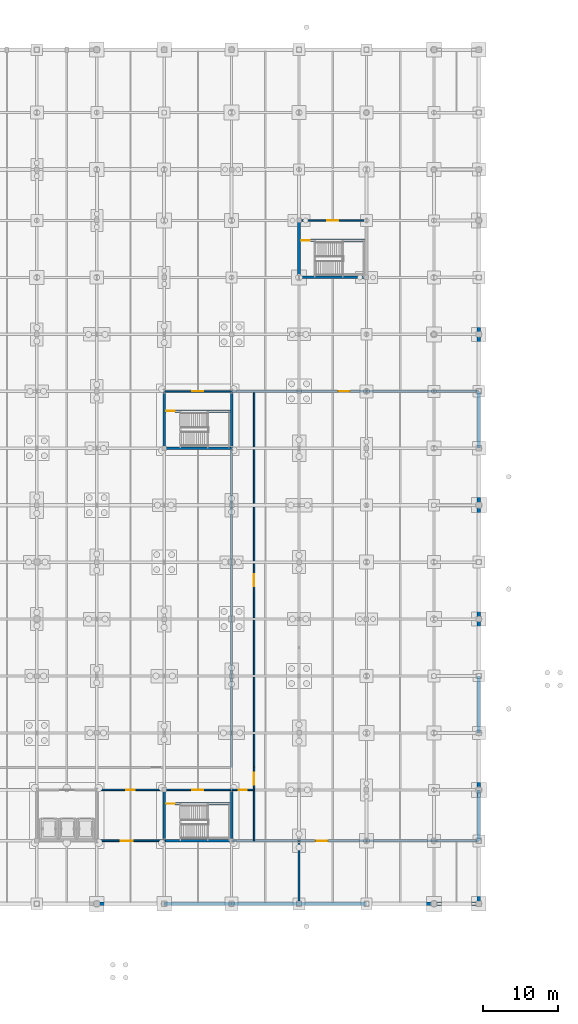
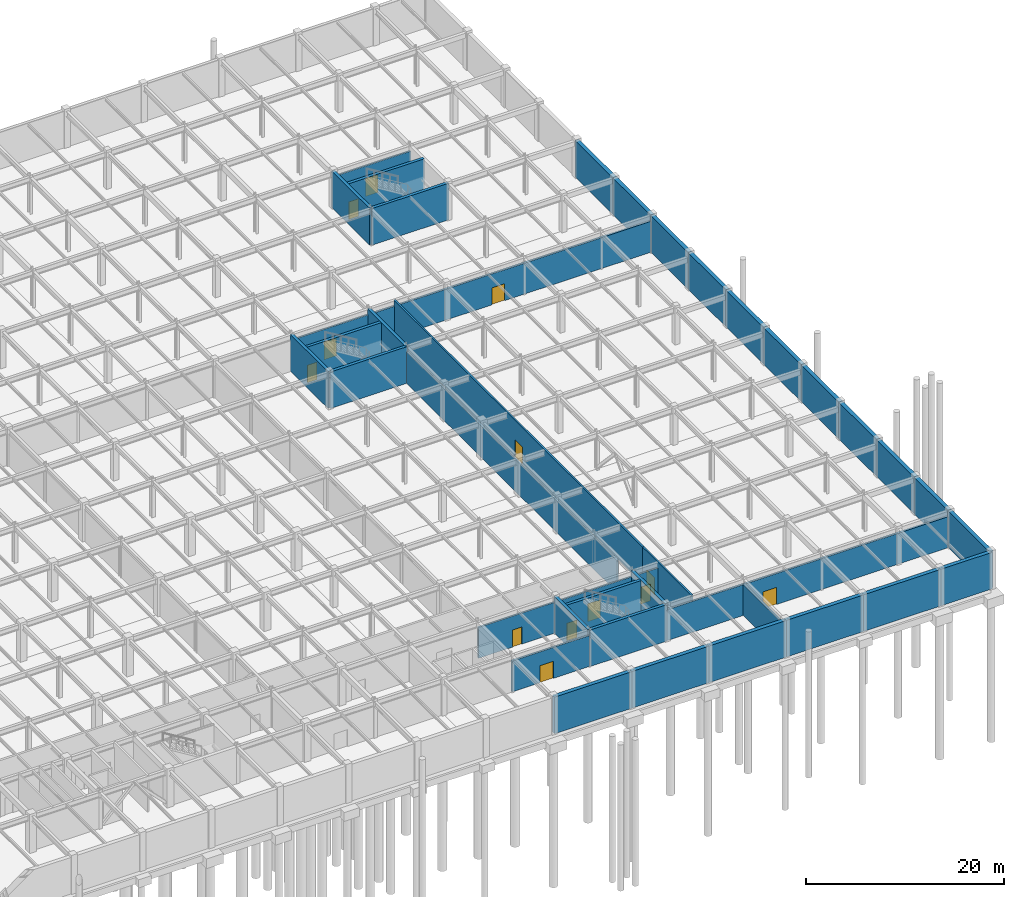
# One storey, part 46 of 53: 40 walls, 13 doors, 13 openings.
"""IFC4 building model written with IfcOpenShell, lengths in metres."""

from ifc_helpers import new_model, si_unit, direction, frame, frame_2d, origin, place, context, subcontext, project, spatial, rectangle, extrude, material, layer, layer_set, type_object, element, fill, save


model = new_model("IFC4")

# Units and contexts
model_context = context("Model", 3, precision=1e-05, world=origin(), true_north=direction((0.0, 1.0)))
body_context = subcontext(model_context, "Body", "Model", "MODEL_VIEW")
ifc_project = project(units=[si_unit("LENGTHUNIT", "METRE"), si_unit("AREAUNIT", "SQUARE_METRE"), si_unit("VOLUMEUNIT", "CUBIC_METRE"), si_unit("PLANEANGLEUNIT", "RADIAN"), si_unit("MASSUNIT", "GRAM", prefix="KILO")], contexts=[model_context])

# Site, building, storey
site_placement = place(None, origin())
site = spatial("IfcSite", under=ifc_project, at=site_placement, CompositionType="ELEMENT")
building_placement = place(site_placement, origin())
building = spatial("IfcBuilding", under=site, at=building_placement, Name="Shalkamar Park Central Library", CompositionType="ELEMENT")
storey_placement = place(building_placement, frame((0.0, 0.0, -4.800048828125)))
storey = spatial("IfcBuildingStorey", under=building, at=storey_placement, Name="B1", CompositionType="ELEMENT", Elevation=-4.800048828125)

# Walls
ifc_material_1 = material(Name="Concrete C40/50", Category="concrete")
ifc_layer_1 = layer(ifc_material_1, 0.449951171875)
ifc_layer_set_1 = layer_set([ifc_layer_1], Name="Concrete C40/50")
wall_type_1 = type_object("IfcWallType", Name="Basement Retaining Shear Wall 450", PredefinedType="SHEAR", material=ifc_layer_set_1)
for number, where, z_axis, x_axis, name in (
    (1, (237.0, 240.0, 0.0), (0.0, 0.0, 1.0), (1.0, 0.0, 0.0), "Basement Retaining Wall S-16"),
    (2, (246.0, 240.0, 0.0), (0.0, 0.0, 1.0), (1.0, 0.0, 0.0), "Basement Retaining Wall S-17"),
    (3, (255.0, 240.0, 0.0), (0.0, 0.0, 1.0), (1.0, 0.0, 0.0), "Basement Retaining Wall S-18"),
    (4, (264.0, 240.0, 0.0), (0.0, 0.0, 1.0), (1.0, 0.0, 0.0), "Basement Retaining Wall S-19"),
    (5, (273.0, 240.0, 0.0), (0.0, 0.0, 1.0), (1.0, 0.0, 0.0), "Basement Retaining Wall S-20"),
):
    element("IfcWall", number, at=place(storey_placement, frame(where, z_axis=z_axis, x_axis=x_axis)), inside=storey, type_object=wall_type_1, Name=name, PredefinedType="SHEAR", context=body_context, shape_type="SweptSolid", body=[
        extrude(rectangle(XDim=9.0, YDim=0.449951171875, at=frame_2d((4.5, 0.0))), origin(), (0.0, 0.0, 1.0), 4.510009765625),
    ])
wall_1_placement = place(storey_placement, frame((282.0, 240.0, 0.0), z_axis=(0.0, 0.0, 1.0), x_axis=(1.0, 0.0, 0.0)))
element("IfcWall", 6, at=wall_1_placement, inside=storey, type_object=wall_type_1, Name="Basement Retaining Wall S-21", PredefinedType="SHEAR", context=body_context, shape_type="SweptSolid", body=[
    extrude(rectangle(XDim=6.0, YDim=0.449951171875, at=frame_2d((3.0, 0.0))), origin(), (0.0, 0.0, 1.0), 4.510009765625),
])
wall_2_placement = place(storey_placement, frame((288.0, 240.0, 0.0), z_axis=(0.0, 0.0, 1.0), x_axis=(0.0, 1.0, 0.0)))
element("IfcWall", 7, at=wall_2_placement, inside=storey, type_object=wall_type_1, Name="Basement Retaining Wall E-A", PredefinedType="SHEAR", context=body_context, shape_type="SweptSolid", body=[
    extrude(rectangle(XDim=8.39990234375, YDim=0.449951171875, at=frame_2d((4.199951171875, 0.0))), origin(), (0.0, 0.0, 1.0), 4.510009765625),
])
wall_3_placement = place(storey_placement, frame((288.0, 248.39990234375, 0.0), z_axis=(0.0, 0.0, 1.0), x_axis=(0.0, 1.0, 0.0)))
element("IfcWall", 8, at=wall_3_placement, inside=storey, type_object=wall_type_1, Name="Basement Retaining Wall E-B", PredefinedType="SHEAR", context=body_context, shape_type="SweptSolid", body=[
    extrude(rectangle(XDim=6.800048828125, YDim=0.449951171875, at=frame_2d((3.39990234375, 0.0))), origin(), (0.0, 0.0, 1.0), 4.510009765625),
])
wall_4_placement = place(storey_placement, frame((288.0, 255.199951171875, 0.0), z_axis=(0.0, 0.0, 1.0), x_axis=(0.0, 1.0, 0.0)))
element("IfcWall", 9, at=wall_4_placement, inside=storey, type_object=wall_type_1, Name="Basement Retaining Wall E-C", PredefinedType="SHEAR", context=body_context, shape_type="SweptSolid", body=[
    extrude(rectangle(XDim=7.60009765625, YDim=0.449951171875, at=frame_2d((3.800048828125, 0.0))), origin(), (0.0, 0.0, 1.0), 4.510009765625),
])
wall_5_placement = place(storey_placement, frame((288.0, 262.800048828125, 0.0), z_axis=(0.0, 0.0, 1.0), x_axis=(0.0, 1.0, 0.0)))
element("IfcWall", 10, at=wall_5_placement, inside=storey, type_object=wall_type_1, Name="Basement Retaining Wall E-D", PredefinedType="SHEAR", context=body_context, shape_type="SweptSolid", body=[
    extrude(rectangle(XDim=7.599853515625, YDim=0.449951171875, at=frame_2d((3.7998046875, 0.0))), origin(), (0.0, 0.0, 1.0), 4.510009765625),
])
for number, where, z_axis, x_axis, name in (
    (11, (288.0, 270.39990234375, 0.0), (0.0, 0.0, 1.0), (0.0, 1.0, 0.0), "Basement Retaining Wall E-E"),
    (12, (288.0, 278.0, 0.0), (0.0, 0.0, 1.0), (0.0, 1.0, 0.0), "Basement Retaining Wall E-F"),
):
    element("IfcWall", number, at=place(storey_placement, frame(where, z_axis=z_axis, x_axis=x_axis)), inside=storey, type_object=wall_type_1, Name=name, PredefinedType="SHEAR", context=body_context, shape_type="SweptSolid", body=[
        extrude(rectangle(XDim=7.60009765625, YDim=0.449951171875, at=frame_2d((3.800048828125, 0.0))), origin(), (0.0, 0.0, 1.0), 4.510009765625),
    ])
wall_6_placement = place(storey_placement, frame((288.0, 285.60009765625, 0.0), z_axis=(0.0, 0.0, 1.0), x_axis=(0.0, 1.0, 0.0)))
element("IfcWall", 13, at=wall_6_placement, inside=storey, type_object=wall_type_1, Name="Basement Retaining Wall E-G", PredefinedType="SHEAR", context=body_context, shape_type="SweptSolid", body=[
    extrude(rectangle(XDim=7.599853515625, YDim=0.449951171875, at=frame_2d((3.7998046875, 0.0))), origin(), (0.0, 0.0, 1.0), 4.510009765625),
])
wall_7_placement = place(storey_placement, frame((288.0, 293.199951171875, 0.0), z_axis=(0.0, 0.0, 1.0), x_axis=(0.0, 1.0, 0.0)))
element("IfcWall", 14, at=wall_7_placement, inside=storey, type_object=wall_type_1, Name="Basement Retaining Wall E-H", PredefinedType="SHEAR", context=body_context, shape_type="SweptSolid", body=[
    extrude(rectangle(XDim=7.60009765625, YDim=0.449951171875, at=frame_2d((3.800048828125, 0.0))), origin(), (0.0, 0.0, 1.0), 4.510009765625),
])
wall_8_placement = place(storey_placement, frame((288.0, 300.800048828125, 0.0), z_axis=(0.0, 0.0, 1.0), x_axis=(0.0, 1.0, 0.0)))
element("IfcWall", 15, at=wall_8_placement, inside=storey, type_object=wall_type_1, Name="Basement Retaining Wall E-J", PredefinedType="SHEAR", context=body_context, shape_type="SweptSolid", body=[
    extrude(rectangle(XDim=7.599853515625, YDim=0.449951171875, at=frame_2d((3.7998046875, 0.0))), origin(), (0.0, 0.0, 1.0), 4.510009765625),
])
for number, where, z_axis, x_axis, name in (
    (16, (288.0, 308.39990234375, 0.0), (0.0, 0.0, 1.0), (0.0, 1.0, 0.0), "Basement Retaining Wall E-K"),
    (17, (288.0, 316.0, 0.0), (0.0, 0.0, 1.0), (0.0, 1.0, 0.0), "Basement Retaining Wall E-L"),
):
    element("IfcWall", number, at=place(storey_placement, frame(where, z_axis=z_axis, x_axis=x_axis)), inside=storey, type_object=wall_type_1, Name=name, PredefinedType="SHEAR", context=body_context, shape_type="SweptSolid", body=[
        extrude(rectangle(XDim=7.60009765625, YDim=0.449951171875, at=frame_2d((3.800048828125, 0.0))), origin(), (0.0, 0.0, 1.0), 4.510009765625),
    ])

# Wall, opening, door
ifc_material_2 = material(Name="Reinforced fire-compartment masonry wall", Category="masonry")
ifc_layer_2 = layer(ifc_material_2, 0.239990234375)
ifc_layer_set_2 = layer_set([ifc_layer_2], Name="CompartmentWall_240")
wall_type_2 = type_object("IfcWallType", Name="Compartment Wall 240", PredefinedType="PARTITIONING", material=ifc_layer_set_2)
wall_9_placement = place(storey_placement, frame((237.0, 248.39990234375, 0.0), z_axis=(0.0, 0.0, 1.0), x_axis=(1.0, 0.0, 0.0)))
wall_9 = element("IfcWall", 18, at=wall_9_placement, inside=storey, type_object=wall_type_2, Name="Interior Partition WL-INT-B1-021-S1", PredefinedType="PARTITIONING", context=body_context, shape_type="SweptSolid", body=[
    extrude(rectangle(XDim=9.0, YDim=0.239990234375, at=frame_2d((4.5, 0.0))), origin(), (0.0, 0.0, 1.0), 3.80810546875),
])
opening_1_placement = place(wall_9_placement, frame((3.199951171875, 0.0, 0.0)))
opening_1 = element("IfcOpeningElement", 19, at=opening_1_placement, cuts=wall_9, Name="Opening DR-B1-018", PredefinedType="OPENING", context=body_context, shape_type="SweptSolid", body=[
    extrude(rectangle(XDim=1.60009765625, YDim=2.10009765625, at=frame_2d((0.800048828125, 1.050048828125))), frame((0.0, 0.134765625, 0.0), z_axis=(0.0, -1.0, 0.0), x_axis=(1.0, 0.0, 0.0)), (0.0, 0.0, 1.0), 0.269775390625),
])
ifc_material_3 = material(Name="Steel S355", Category="steel")
door_type_1 = type_object("IfcDoorType", Name="Fire Door Double 1600x2100", OperationType="DOUBLE_DOOR_SINGLE_SWING", PredefinedType="DOOR", material=ifc_material_3)
door_1_placement = place(opening_1_placement, origin())
door_1 = element("IfcDoor", 20, at=door_1_placement, inside=storey, type_object=door_type_1, Name="Electrical Substation Door", OperationType="DOUBLE_DOOR_SINGLE_SWING", OverallHeight=2.10009765625, OverallWidth=1.60009765625, PredefinedType="DOOR", context=body_context, shape_type="SweptSolid", body=[
    extrude(rectangle(XDim=1.60009765625, YDim=2.10009765625, at=frame_2d((0.800048828125, 1.050048828125))), frame((0.0, 0.02490234375, 0.0), z_axis=(0.0, -1.0, 0.0), x_axis=(1.0, 0.0, 0.0)), (0.0, 0.0, 1.0), 0.050048828125),
])
fill(opening_1, door_1)

wall_10_placement = place(storey_placement, frame((255.0, 248.39990234375, 0.0), z_axis=(0.0, 0.0, 1.0), x_axis=(1.0, 0.0, 0.0)))
wall_10 = element("IfcWall", 21, at=wall_10_placement, inside=storey, type_object=wall_type_2, Name="Interior Partition WL-INT-B1-021-S2", PredefinedType="PARTITIONING", context=body_context, shape_type="SweptSolid", body=[
    extrude(rectangle(XDim=33.0, YDim=0.239990234375, at=frame_2d((16.5, 0.0))), origin(), (0.0, 0.0, 1.0), 3.80810546875),
])
opening_2_placement = place(wall_10_placement, frame((11.199951171875, 0.0, 0.0)))
opening_2 = element("IfcOpeningElement", 22, at=opening_2_placement, cuts=wall_10, Name="Opening DR-B1-019", PredefinedType="OPENING", context=body_context, shape_type="SweptSolid", body=[
    extrude(rectangle(XDim=1.60009765625, YDim=2.10009765625, at=frame_2d((0.800048828125, 1.050048828125))), frame((0.0, 0.134765625, 0.0), z_axis=(0.0, -1.0, 0.0), x_axis=(1.0, 0.0, 0.0)), (0.0, 0.0, 1.0), 0.269775390625),
])
door_2_placement = place(opening_2_placement, frame((1.60009765625, 0.0, 0.0), z_axis=(0.0, 0.0, 1.0), x_axis=(-1.0, 0.0, 0.0)))
door_2 = element("IfcDoor", 23, at=door_2_placement, inside=storey, type_object=door_type_1, Name="Standby Power Switchgear Door", OperationType="DOUBLE_DOOR_SINGLE_SWING", OverallHeight=2.10009765625, OverallWidth=1.60009765625, PredefinedType="DOOR", context=body_context, shape_type="SweptSolid", body=[
    extrude(rectangle(XDim=1.60009765625, YDim=2.10009765625, at=frame_2d((0.800048828125, 1.050048828125))), frame((0.0, 0.02490234375, 0.0), z_axis=(0.0, -1.0, 0.0), x_axis=(1.0, 0.0, 0.0)), (0.0, 0.0, 1.0), 0.050048828125),
])
fill(opening_2, door_2)

# Wall
wall_11_placement = place(storey_placement, frame((264.0, 240.0, 0.0), z_axis=(0.0, 0.0, 1.0), x_axis=(0.0, 1.0, 0.0)))
element("IfcWall", 24, at=wall_11_placement, inside=storey, type_object=wall_type_2, Name="Interior Partition WL-INT-B1-022", PredefinedType="PARTITIONING", context=body_context, shape_type="SweptSolid", body=[
    extrude(rectangle(XDim=8.39990234375, YDim=0.239990234375, at=frame_2d((4.199951171875, 0.0))), origin(), (0.0, 0.0, 1.0), 3.858154296875),
])

# Wall, opening, door
wall_12_placement = place(storey_placement, frame((255.0, 308.39990234375, 0.0), z_axis=(0.0, 0.0, 1.0), x_axis=(1.0, 0.0, 0.0)))
wall_12 = element("IfcWall", 25, at=wall_12_placement, inside=storey, type_object=wall_type_2, Name="Interior Partition WL-INT-B1-034-S4", PredefinedType="PARTITIONING", context=body_context, shape_type="SweptSolid", body=[
    extrude(rectangle(XDim=33.0, YDim=0.239990234375, at=frame_2d((16.5, 0.0))), origin(), (0.0, 0.0, 1.0), 3.80810546875),
])
opening_3_placement = place(wall_12_placement, frame((14.25, 0.0, 0.0)))
opening_3 = element("IfcOpeningElement", 26, at=opening_3_placement, cuts=wall_12, Name="Opening DR-B1-031", PredefinedType="OPENING", context=body_context, shape_type="SweptSolid", body=[
    extrude(rectangle(XDim=1.5, YDim=2.10009765625, at=frame_2d((0.75, 1.050048828125))), frame((0.0, 0.134765625, 0.0), z_axis=(0.0, -1.0, 0.0), x_axis=(1.0, 0.0, 0.0)), (0.0, 0.0, 1.0), 0.269775390625),
])
door_type_2 = type_object("IfcDoorType", Name="Fire Door Double 1500x2100", OperationType="DOUBLE_DOOR_SINGLE_SWING", PredefinedType="DOOR", material=ifc_material_3)
door_3_placement = place(opening_3_placement, frame((1.5, 0.0, 0.0), z_axis=(0.0, 0.0, 1.0), x_axis=(-1.0, 0.0, 0.0)))
door_3 = element("IfcDoor", 27, at=door_3_placement, inside=storey, type_object=door_type_2, Name="East Archive Reserve Door", OperationType="DOUBLE_DOOR_SINGLE_SWING", OverallHeight=2.10009765625, OverallWidth=1.5, PredefinedType="DOOR", context=body_context, shape_type="SweptSolid", body=[
    extrude(rectangle(XDim=1.5, YDim=2.10009765625, at=frame_2d((0.75, 1.050048828125))), frame((0.0, 0.02490234375, 0.0), z_axis=(0.0, -1.0, 0.0), x_axis=(1.0, 0.0, 0.0)), (0.0, 0.0, 1.0), 0.050048828125),
])
fill(opening_3, door_3)

ifc_material_4 = material(Name="Fire-rated corridor partition wall", Category="masonry")
ifc_layer_3 = layer(ifc_material_4, 0.199951171875)
ifc_layer_set_3 = layer_set([ifc_layer_3], Name="CorridorFireWall_200")
wall_type_3 = type_object("IfcWallType", Name="Corridor Fire Wall 200", PredefinedType="PARTITIONING", material=ifc_layer_set_3)
wall_13_placement = place(storey_placement, frame((246.0, 255.199951171875, 0.0), z_axis=(0.0, 0.0, 1.0), x_axis=(1.0, 0.0, 0.0)))
wall_13 = element("IfcWall", 28, at=wall_13_placement, inside=storey, type_object=wall_type_3, Name="CORE-P3 Vestibule North Wall (B1)", PredefinedType="PARTITIONING", context=body_context, shape_type="SweptSolid", body=[
    extrude(rectangle(XDim=9.0, YDim=0.199951171875, at=frame_2d((4.5, 0.0))), origin(), (0.0, 0.0, 1.0), 3.80810546875),
])
opening_4_placement = place(wall_13_placement, frame((3.77490234375, 0.0, 0.0)))
opening_4 = element("IfcOpeningElement", 29, at=opening_4_placement, cuts=wall_13, Name="Opening DR-ST-P3-B1-VEST", PredefinedType="OPENING", context=body_context, shape_type="SweptSolid", body=[
    extrude(rectangle(XDim=1.449951171875, YDim=2.199951171875, at=frame_2d((0.72509765625, 1.10009765625))), frame((0.0, 0.11474609375, 0.0), z_axis=(0.0, -1.0, 0.0), x_axis=(1.0, 0.0, 0.0)), (0.0, 0.0, 1.0), 0.229736328125),
])
door_type_3 = type_object("IfcDoorType", Name="Stair Vestibule Door 1450x2200", OperationType="DOUBLE_DOOR_SINGLE_SWING", PredefinedType="DOOR", material=ifc_material_3)
door_4_placement = place(opening_4_placement, frame((1.449951171875, 0.0, 0.0), z_axis=(0.0, 0.0, 1.0), x_axis=(-1.0, 0.0, 0.0)))
door_4 = element("IfcDoor", 30, at=door_4_placement, inside=storey, type_object=door_type_3, Name="Protected Stair ST-P3 Vestibule Door (B1)", OperationType="DOUBLE_DOOR_SINGLE_SWING", OverallHeight=2.199951171875, OverallWidth=1.449951171875, PredefinedType="DOOR", context=body_context, shape_type="SweptSolid", body=[
    extrude(rectangle(XDim=1.449951171875, YDim=2.199951171875, at=frame_2d((0.72509765625, 1.10009765625))), frame((0.0, 0.02490234375, 0.0), z_axis=(0.0, -1.0, 0.0), x_axis=(1.0, 0.0, 0.0)), (0.0, 0.0, 1.0), 0.050048828125),
])
fill(opening_4, door_4)

wall_14_placement = place(storey_placement, frame((246.0, 308.39990234375, 0.0), z_axis=(0.0, 0.0, 1.0), x_axis=(1.0, 0.0, 0.0)))
wall_14 = element("IfcWall", 31, at=wall_14_placement, inside=storey, type_object=wall_type_3, Name="CORE-P4 Vestibule North Wall (B1)", PredefinedType="PARTITIONING", context=body_context, shape_type="SweptSolid", body=[
    extrude(rectangle(XDim=9.0, YDim=0.199951171875, at=frame_2d((4.5, 0.0))), origin(), (0.0, 0.0, 1.0), 3.80810546875),
])
opening_5_placement = place(wall_14_placement, frame((3.77490234375, 0.0, 0.0)))
opening_5 = element("IfcOpeningElement", 32, at=opening_5_placement, cuts=wall_14, Name="Opening DR-ST-P4-B1-VEST", PredefinedType="OPENING", context=body_context, shape_type="SweptSolid", body=[
    extrude(rectangle(XDim=1.449951171875, YDim=2.199951171875, at=frame_2d((0.72509765625, 1.10009765625))), frame((0.0, 0.11474609375, 0.0), z_axis=(0.0, -1.0, 0.0), x_axis=(1.0, 0.0, 0.0)), (0.0, 0.0, 1.0), 0.229736328125),
])
door_5_placement = place(opening_5_placement, frame((1.449951171875, 0.0, 0.0), z_axis=(0.0, 0.0, 1.0), x_axis=(-1.0, 0.0, 0.0)))
door_5 = element("IfcDoor", 33, at=door_5_placement, inside=storey, type_object=door_type_3, Name="Protected Stair ST-P4 Vestibule Door (B1)", OperationType="DOUBLE_DOOR_SINGLE_SWING", OverallHeight=2.199951171875, OverallWidth=1.449951171875, PredefinedType="DOOR", context=body_context, shape_type="SweptSolid", body=[
    extrude(rectangle(XDim=1.449951171875, YDim=2.199951171875, at=frame_2d((0.72509765625, 1.10009765625))), frame((0.0, 0.02490234375, 0.0), z_axis=(0.0, -1.0, 0.0), x_axis=(1.0, 0.0, 0.0)), (0.0, 0.0, 1.0), 0.050048828125),
])
fill(opening_5, door_5)

wall_15_placement = place(storey_placement, frame((264.0, 331.199951171875, 0.0), z_axis=(0.0, 0.0, 1.0), x_axis=(1.0, 0.0, 0.0)))
wall_15 = element("IfcWall", 34, at=wall_15_placement, inside=storey, type_object=wall_type_3, Name="CORE-P6 Vestibule North Wall (B1)", PredefinedType="PARTITIONING", context=body_context, shape_type="SweptSolid", body=[
    extrude(rectangle(XDim=9.0, YDim=0.199951171875, at=frame_2d((4.5, 0.0))), origin(), (0.0, 0.0, 1.0), 3.80810546875),
])
opening_6_placement = place(wall_15_placement, frame((3.77490234375, 0.0, 0.0)))
opening_6 = element("IfcOpeningElement", 35, at=opening_6_placement, cuts=wall_15, Name="Opening DR-ST-P6-B1-VEST", PredefinedType="OPENING", context=body_context, shape_type="SweptSolid", body=[
    extrude(rectangle(XDim=1.449951171875, YDim=2.199951171875, at=frame_2d((0.72509765625, 1.10009765625))), frame((0.0, 0.11474609375, 0.0), z_axis=(0.0, -1.0, 0.0), x_axis=(1.0, 0.0, 0.0)), (0.0, 0.0, 1.0), 0.229736328125),
])
door_6_placement = place(opening_6_placement, frame((1.449951171875, 0.0, 0.0), z_axis=(0.0, 0.0, 1.0), x_axis=(-1.0, 0.0, 0.0)))
door_6 = element("IfcDoor", 36, at=door_6_placement, inside=storey, type_object=door_type_3, Name="Protected Stair ST-P6 Vestibule Door (B1)", OperationType="DOUBLE_DOOR_SINGLE_SWING", OverallHeight=2.199951171875, OverallWidth=1.449951171875, PredefinedType="DOOR", context=body_context, shape_type="SweptSolid", body=[
    extrude(rectangle(XDim=1.449951171875, YDim=2.199951171875, at=frame_2d((0.72509765625, 1.10009765625))), frame((0.0, 0.02490234375, 0.0), z_axis=(0.0, -1.0, 0.0), x_axis=(1.0, 0.0, 0.0)), (0.0, 0.0, 1.0), 0.050048828125),
])
fill(opening_6, door_6)

wall_16_placement = place(storey_placement, frame((255.0, 255.199951171875, 0.0), z_axis=(0.0, 0.0, 1.0), x_axis=(1.0, 0.0, 0.0)))
wall_16 = element("IfcWall", 37, at=wall_16_placement, inside=storey, type_object=wall_type_3, Name="Interior Partition WL-INT-B1-017", PredefinedType="PARTITIONING", context=body_context, shape_type="SweptSolid", body=[
    extrude(rectangle(XDim=3.0, YDim=0.199951171875, at=frame_2d((1.5, 0.0))), origin(), (0.0, 0.0, 1.0), 3.80810546875),
])
opening_7_placement = place(wall_16_placement, frame((0.949951171875, 0.0, 0.0)))
opening_7 = element("IfcOpeningElement", 38, at=opening_7_placement, cuts=wall_16, Name="Opening DR-B1-014", PredefinedType="OPENING", context=body_context, shape_type="SweptSolid", body=[
    extrude(rectangle(XDim=1.10009765625, YDim=2.10009765625, at=frame_2d((0.550048828125, 1.050048828125))), frame((0.0, 0.11474609375, 0.0), z_axis=(0.0, -1.0, 0.0), x_axis=(1.0, 0.0, 0.0)), (0.0, 0.0, 1.0), 0.229736328125),
])
door_type_4 = type_object("IfcDoorType", Name="Fire Door Single 1100x2100", OperationType="NOTDEFINED", PredefinedType="DOOR", material=ifc_material_3)
door_7_placement = place(opening_7_placement, origin())
door_7 = element("IfcDoor", 39, at=door_7_placement, inside=storey, type_object=door_type_4, Name="East Spine Lobby Link Door", OperationType="SINGLE_SWING_LEFT", OverallHeight=2.10009765625, OverallWidth=1.10009765625, PredefinedType="DOOR", context=body_context, shape_type="SweptSolid", body=[
    extrude(rectangle(XDim=1.10009765625, YDim=2.10009765625, at=frame_2d((0.550048828125, 1.050048828125))), frame((0.0, 0.02490234375, 0.0), z_axis=(0.0, -1.0, 0.0), x_axis=(1.0, 0.0, 0.0)), (0.0, 0.0, 1.0), 0.050048828125),
])
fill(opening_7, door_7)

wall_17_placement = place(storey_placement, frame((237.0, 255.199951171875, 0.0), z_axis=(0.0, 0.0, 1.0), x_axis=(1.0, 0.0, 0.0)))
wall_17 = element("IfcWall", 40, at=wall_17_placement, inside=storey, type_object=wall_type_3, Name="Interior Partition WL-INT-B1-026", PredefinedType="PARTITIONING", context=body_context, shape_type="SweptSolid", body=[
    extrude(rectangle(XDim=9.0, YDim=0.199951171875, at=frame_2d((4.5, 0.0))), origin(), (0.0, 0.0, 1.0), 3.80810546875),
])
opening_8_placement = place(wall_17_placement, frame((3.949951171875, 0.0, 0.0)))
opening_8 = element("IfcOpeningElement", 41, at=opening_8_placement, cuts=wall_17, Name="Opening DR-B1-023", PredefinedType="OPENING", context=body_context, shape_type="SweptSolid", body=[
    extrude(rectangle(XDim=1.10009765625, YDim=2.10009765625, at=frame_2d((0.550048828125, 1.050048828125))), frame((0.0, 0.11474609375, 0.0), z_axis=(0.0, -1.0, 0.0), x_axis=(1.0, 0.0, 0.0)), (0.0, 0.0, 1.0), 0.229736328125),
])
door_8_placement = place(opening_8_placement, frame((1.10009765625, 0.0, 0.0), z_axis=(0.0, 0.0, 1.0), x_axis=(-1.0, 0.0, 0.0)))
door_8 = element("IfcDoor", 42, at=door_8_placement, inside=storey, type_object=door_type_4, Name="Vacuum Dust Plant Door", OperationType="SINGLE_SWING_RIGHT", OverallHeight=2.10009765625, OverallWidth=1.10009765625, PredefinedType="DOOR", context=body_context, shape_type="SweptSolid", body=[
    extrude(rectangle(XDim=1.10009765625, YDim=2.10009765625, at=frame_2d((0.550048828125, 1.050048828125))), frame((0.0, 0.02490234375, 0.0), z_axis=(0.0, -1.0, 0.0), x_axis=(1.0, 0.0, 0.0)), (0.0, 0.0, 1.0), 0.050048828125),
])
fill(opening_8, door_8)

# Wall
wall_18_placement = place(storey_placement, frame((255.0, 258.199951171875, 0.0), z_axis=(0.0, 0.0, 1.0), x_axis=(0.0, 1.0, 0.0)))
element("IfcWall", 43, at=wall_18_placement, inside=storey, type_object=wall_type_3, Name="Interior Partition WL-INT-B1-030", PredefinedType="PARTITIONING", context=body_context, shape_type="SweptSolid", body=[
    extrude(rectangle(XDim=42.60009765625, YDim=0.199951171875, at=frame_2d((21.300048828125, 0.0))), origin(), (0.0, 0.0, 1.0), 3.907958984375),
])

# Wall, opening, door
wall_19_placement = place(storey_placement, frame((258.0, 258.199951171875, 0.0), z_axis=(0.0, 0.0, 1.0), x_axis=(0.0, 1.0, 0.0)))
wall_19 = element("IfcWall", 44, at=wall_19_placement, inside=storey, type_object=wall_type_3, Name="Interior Partition WL-INT-B1-035", PredefinedType="PARTITIONING", context=body_context, shape_type="SweptSolid", body=[
    extrude(rectangle(XDim=50.199951171875, YDim=0.199951171875, at=frame_2d((25.10009765625, 0.0))), origin(), (0.0, 0.0, 1.0), 4.510009765625),
])
opening_9_placement = place(wall_19_placement, frame((24.199951171875, 0.0, 0.0)))
opening_9 = element("IfcOpeningElement", 45, at=opening_9_placement, cuts=wall_19, Name="Opening DR-B1-032", PredefinedType="OPENING", context=body_context, shape_type="SweptSolid", body=[
    extrude(rectangle(XDim=1.60009765625, YDim=2.10009765625, at=frame_2d((0.800048828125, 1.050048828125))), frame((0.0, 0.11474609375, 0.0), z_axis=(0.0, -1.0, 0.0), x_axis=(1.0, 0.0, 0.0)), (0.0, 0.0, 1.0), 0.229736328125),
])
door_9_placement = place(opening_9_placement, frame((1.60009765625, 0.0, 0.0), z_axis=(0.0, 0.0, 1.0), x_axis=(-1.0, 0.0, 0.0)))
door_9 = element("IfcDoor", 46, at=door_9_placement, inside=storey, type_object=door_type_1, Name="East Receiving Archive Store Door", OperationType="DOUBLE_DOOR_SINGLE_SWING", OverallHeight=2.10009765625, OverallWidth=1.60009765625, PredefinedType="DOOR", context=body_context, shape_type="SweptSolid", body=[
    extrude(rectangle(XDim=1.60009765625, YDim=2.10009765625, at=frame_2d((0.800048828125, 1.050048828125))), frame((0.0, 0.02490234375, 0.0), z_axis=(0.0, -1.0, 0.0), x_axis=(1.0, 0.0, 0.0)), (0.0, 0.0, 1.0), 0.050048828125),
])
fill(opening_9, door_9)

wall_20_placement = place(storey_placement, frame((258.0, 248.39990234375, 0.0), z_axis=(0.0, 0.0, 1.0), x_axis=(0.0, 1.0, 0.0)))
wall_20 = element("IfcWall", 47, at=wall_20_placement, inside=storey, type_object=wall_type_3, Name="Interior Partition WL-INT-B1-036", PredefinedType="PARTITIONING", context=body_context, shape_type="SweptSolid", body=[
    extrude(rectangle(XDim=9.800048828125, YDim=0.199951171875, at=frame_2d((4.89990234375, 0.0))), origin(), (0.0, 0.0, 1.0), 4.510009765625),
])
opening_10_placement = place(wall_20_placement, frame((7.5, 0.0, 0.0)))
opening_10 = element("IfcOpeningElement", 48, at=opening_10_placement, cuts=wall_20, Name="Opening DR-B1-033", PredefinedType="OPENING", context=body_context, shape_type="SweptSolid", body=[
    extrude(rectangle(XDim=1.60009765625, YDim=2.10009765625, at=frame_2d((0.800048828125, 1.050048828125))), frame((0.0, 0.11474609375, 0.0), z_axis=(0.0, -1.0, 0.0), x_axis=(1.0, 0.0, 0.0)), (0.0, 0.0, 1.0), 0.229736328125),
])
door_10_placement = place(opening_10_placement, frame((1.60009765625, 0.0, 0.0), z_axis=(0.0, 0.0, 1.0), x_axis=(-1.0, 0.0, 0.0)))
door_10 = element("IfcDoor", 49, at=door_10_placement, inside=storey, type_object=door_type_1, Name="East Corridor Link Door", OperationType="DOUBLE_DOOR_SINGLE_SWING", OverallHeight=2.10009765625, OverallWidth=1.60009765625, PredefinedType="DOOR", context=body_context, shape_type="SweptSolid", body=[
    extrude(rectangle(XDim=1.60009765625, YDim=2.10009765625, at=frame_2d((0.800048828125, 1.050048828125))), frame((0.0, 0.02490234375, 0.0), z_axis=(0.0, -1.0, 0.0), x_axis=(1.0, 0.0, 0.0)), (0.0, 0.0, 1.0), 0.050048828125),
])
fill(opening_10, door_10)

# Walls
ifc_layer_4 = layer(ifc_material_1, 0.35009765625)
ifc_layer_set_4 = layer_set([ifc_layer_4], Name="Concrete C40/50")
wall_type_4 = type_object("IfcWallType", Name="Podium Core Shear Wall 350", PredefinedType="SHEAR", material=ifc_layer_set_4)
wall_21_placement = place(storey_placement, frame((246.0, 248.39990234375, 0.0), z_axis=(0.0, 0.0, 1.0), x_axis=(1.0, 0.0, 0.0)))
element("IfcWall", 50, at=wall_21_placement, inside=storey, type_object=wall_type_4, Name="CORE-P3 South Shear Wall (B1)", PredefinedType="SHEAR", context=body_context, shape_type="SweptSolid", body=[
    extrude(rectangle(XDim=9.0, YDim=0.35009765625, at=frame_2d((4.5, 0.0))), origin(), (0.0, 0.0, 1.0), 4.510009765625),
])
for number, where, z_axis, x_axis, name in (
    (51, (246.0, 248.39990234375, 0.0), (0.0, 0.0, 1.0), (0.0, 1.0, 0.0), "CORE-P3 West Shear Wall (B1)"),
    (52, (255.0, 248.39990234375, 0.0), (0.0, 0.0, 1.0), (0.0, 1.0, 0.0), "CORE-P3 East Shear Wall (B1)"),
):
    element("IfcWall", number, at=place(storey_placement, frame(where, z_axis=z_axis, x_axis=x_axis)), inside=storey, type_object=wall_type_4, Name=name, PredefinedType="SHEAR", context=body_context, shape_type="SweptSolid", body=[
        extrude(rectangle(XDim=6.800048828125, YDim=0.35009765625, at=frame_2d((3.39990234375, 0.0))), origin(), (0.0, 0.0, 1.0), 4.510009765625),
    ])

# Wall, opening, door
wall_22_placement = place(storey_placement, frame((246.0, 253.35009765625, 0.0), z_axis=(0.0, 0.0, 1.0), x_axis=(1.0, 0.0, 0.0)))
wall_22 = element("IfcWall", 53, at=wall_22_placement, inside=storey, type_object=wall_type_4, Name="CORE-P3 Stairwell Wall (B1)", PredefinedType="SHEAR", context=body_context, shape_type="SweptSolid", body=[
    extrude(rectangle(XDim=9.0, YDim=0.35009765625, at=frame_2d((4.5, 0.0))), origin(), (0.0, 0.0, 1.0), 4.510009765625),
])
opening_11_placement = place(wall_22_placement, frame((0.27490234375, 0.0, 0.0)))
opening_11 = element("IfcOpeningElement", 54, at=opening_11_placement, cuts=wall_22, Name="Opening DR-ST-P3-B1-IN", PredefinedType="OPENING", context=body_context, shape_type="SweptSolid", body=[
    extrude(rectangle(XDim=1.14990234375, YDim=2.14990234375, at=frame_2d((0.574951171875, 1.074951171875))), frame((0.0, 0.18994140625, 0.0), z_axis=(0.0, -1.0, 0.0), x_axis=(1.0, 0.0, 0.0)), (0.0, 0.0, 1.0), 0.3798828125),
])
door_type_5 = type_object("IfcDoorType", Name="Stair Core Exit Door 1150x2150", OperationType="NOTDEFINED", PredefinedType="DOOR", material=ifc_material_3)
door_11_placement = place(opening_11_placement, frame((1.14990234375, 0.0, 0.0), z_axis=(0.0, 0.0, 1.0), x_axis=(-1.0, 0.0, 0.0)))
door_11 = element("IfcDoor", 55, at=door_11_placement, inside=storey, type_object=door_type_5, Name="Protected Stair ST-P3 Exit Door (B1)", OperationType="SINGLE_SWING_RIGHT", OverallHeight=2.14990234375, OverallWidth=1.14990234375, PredefinedType="DOOR", context=body_context, shape_type="SweptSolid", body=[
    extrude(rectangle(XDim=1.14990234375, YDim=2.14990234375, at=frame_2d((0.574951171875, 1.074951171875))), frame((0.0, 0.02490234375, 0.0), z_axis=(0.0, -1.0, 0.0), x_axis=(1.0, 0.0, 0.0)), (0.0, 0.0, 1.0), 0.050048828125),
])
fill(opening_11, door_11)

# Walls
wall_23_placement = place(storey_placement, frame((246.0, 300.800048828125, 0.0), z_axis=(0.0, 0.0, 1.0), x_axis=(1.0, 0.0, 0.0)))
element("IfcWall", 56, at=wall_23_placement, inside=storey, type_object=wall_type_4, Name="CORE-P4 South Shear Wall (B1)", PredefinedType="SHEAR", context=body_context, shape_type="SweptSolid", body=[
    extrude(rectangle(XDim=9.0, YDim=0.35009765625, at=frame_2d((4.5, 0.0))), origin(), (0.0, 0.0, 1.0), 4.510009765625),
])
for number, where, z_axis, x_axis, name in (
    (57, (246.0, 300.800048828125, 0.0), (0.0, 0.0, 1.0), (0.0, 1.0, 0.0), "CORE-P4 West Shear Wall (B1)"),
    (58, (255.0, 300.800048828125, 0.0), (0.0, 0.0, 1.0), (0.0, 1.0, 0.0), "CORE-P4 East Shear Wall (B1)"),
):
    element("IfcWall", number, at=place(storey_placement, frame(where, z_axis=z_axis, x_axis=x_axis)), inside=storey, type_object=wall_type_4, Name=name, PredefinedType="SHEAR", context=body_context, shape_type="SweptSolid", body=[
        extrude(rectangle(XDim=7.599853515625, YDim=0.35009765625, at=frame_2d((3.7998046875, 0.0))), origin(), (0.0, 0.0, 1.0), 4.510009765625),
    ])

# Wall, opening, door
wall_24_placement = place(storey_placement, frame((246.0, 305.75, 0.0), z_axis=(0.0, 0.0, 1.0), x_axis=(1.0, 0.0, 0.0)))
wall_24 = element("IfcWall", 59, at=wall_24_placement, inside=storey, type_object=wall_type_4, Name="CORE-P4 Stairwell Wall (B1)", PredefinedType="SHEAR", context=body_context, shape_type="SweptSolid", body=[
    extrude(rectangle(XDim=9.0, YDim=0.35009765625, at=frame_2d((4.5, 0.0))), origin(), (0.0, 0.0, 1.0), 4.510009765625),
])
opening_12_placement = place(wall_24_placement, frame((0.27490234375, 0.0, 0.0)))
opening_12 = element("IfcOpeningElement", 60, at=opening_12_placement, cuts=wall_24, Name="Opening DR-ST-P4-B1-IN", PredefinedType="OPENING", context=body_context, shape_type="SweptSolid", body=[
    extrude(rectangle(XDim=1.14990234375, YDim=2.14990234375, at=frame_2d((0.574951171875, 1.074951171875))), frame((0.0, 0.18994140625, 0.0), z_axis=(0.0, -1.0, 0.0), x_axis=(1.0, 0.0, 0.0)), (0.0, 0.0, 1.0), 0.3798828125),
])
door_12_placement = place(opening_12_placement, frame((1.14990234375, 0.0, 0.0), z_axis=(0.0, 0.0, 1.0), x_axis=(-1.0, 0.0, 0.0)))
door_12 = element("IfcDoor", 61, at=door_12_placement, inside=storey, type_object=door_type_5, Name="Protected Stair ST-P4 Exit Door (B1)", OperationType="SINGLE_SWING_RIGHT", OverallHeight=2.14990234375, OverallWidth=1.14990234375, PredefinedType="DOOR", context=body_context, shape_type="SweptSolid", body=[
    extrude(rectangle(XDim=1.14990234375, YDim=2.14990234375, at=frame_2d((0.574951171875, 1.074951171875))), frame((0.0, 0.02490234375, 0.0), z_axis=(0.0, -1.0, 0.0), x_axis=(1.0, 0.0, 0.0)), (0.0, 0.0, 1.0), 0.050048828125),
])
fill(opening_12, door_12)

# Walls
wall_25_placement = place(storey_placement, frame((264.0, 323.60009765625, 0.0), z_axis=(0.0, 0.0, 1.0), x_axis=(1.0, 0.0, 0.0)))
element("IfcWall", 62, at=wall_25_placement, inside=storey, type_object=wall_type_4, Name="CORE-P6 South Shear Wall (B1)", PredefinedType="SHEAR", context=body_context, shape_type="SweptSolid", body=[
    extrude(rectangle(XDim=9.0, YDim=0.35009765625, at=frame_2d((4.5, 0.0))), origin(), (0.0, 0.0, 1.0), 4.510009765625),
])
wall_26_placement = place(storey_placement, frame((264.0, 323.60009765625, 0.0), z_axis=(0.0, 0.0, 1.0), x_axis=(0.0, 1.0, 0.0)))
element("IfcWall", 63, at=wall_26_placement, inside=storey, type_object=wall_type_4, Name="CORE-P6 West Shear Wall (B1)", PredefinedType="SHEAR", context=body_context, shape_type="SweptSolid", body=[
    extrude(rectangle(XDim=7.599853515625, YDim=0.35009765625, at=frame_2d((3.7998046875, 0.0))), origin(), (0.0, 0.0, 1.0), 4.510009765625),
])

# Wall, opening, door
wall_27_placement = place(storey_placement, frame((264.0, 328.550048828125, 0.0), z_axis=(0.0, 0.0, 1.0), x_axis=(1.0, 0.0, 0.0)))
wall_27 = element("IfcWall", 64, at=wall_27_placement, inside=storey, type_object=wall_type_4, Name="CORE-P6 Stairwell Wall (B1)", PredefinedType="SHEAR", context=body_context, shape_type="SweptSolid", body=[
    extrude(rectangle(XDim=9.0, YDim=0.35009765625, at=frame_2d((4.5, 0.0))), origin(), (0.0, 0.0, 1.0), 4.510009765625),
])
opening_13_placement = place(wall_27_placement, frame((0.27490234375, 0.0, 0.0)))
opening_13 = element("IfcOpeningElement", 65, at=opening_13_placement, cuts=wall_27, Name="Opening DR-ST-P6-B1-IN", PredefinedType="OPENING", context=body_context, shape_type="SweptSolid", body=[
    extrude(rectangle(XDim=1.14990234375, YDim=2.14990234375, at=frame_2d((0.574951171875, 1.074951171875))), frame((0.0, 0.18994140625, 0.0), z_axis=(0.0, -1.0, 0.0), x_axis=(1.0, 0.0, 0.0)), (0.0, 0.0, 1.0), 0.3798828125),
])
door_13_placement = place(opening_13_placement, frame((1.14990234375, 0.0, 0.0), z_axis=(0.0, 0.0, 1.0), x_axis=(-1.0, 0.0, 0.0)))
door_13 = element("IfcDoor", 66, at=door_13_placement, inside=storey, type_object=door_type_5, Name="Protected Stair ST-P6 Exit Door (B1)", OperationType="SINGLE_SWING_RIGHT", OverallHeight=2.14990234375, OverallWidth=1.14990234375, PredefinedType="DOOR", context=body_context, shape_type="SweptSolid", body=[
    extrude(rectangle(XDim=1.14990234375, YDim=2.14990234375, at=frame_2d((0.574951171875, 1.074951171875))), frame((0.0, 0.02490234375, 0.0), z_axis=(0.0, -1.0, 0.0), x_axis=(1.0, 0.0, 0.0)), (0.0, 0.0, 1.0), 0.050048828125),
])
fill(opening_13, door_13)

save(model, "model.ifc")
